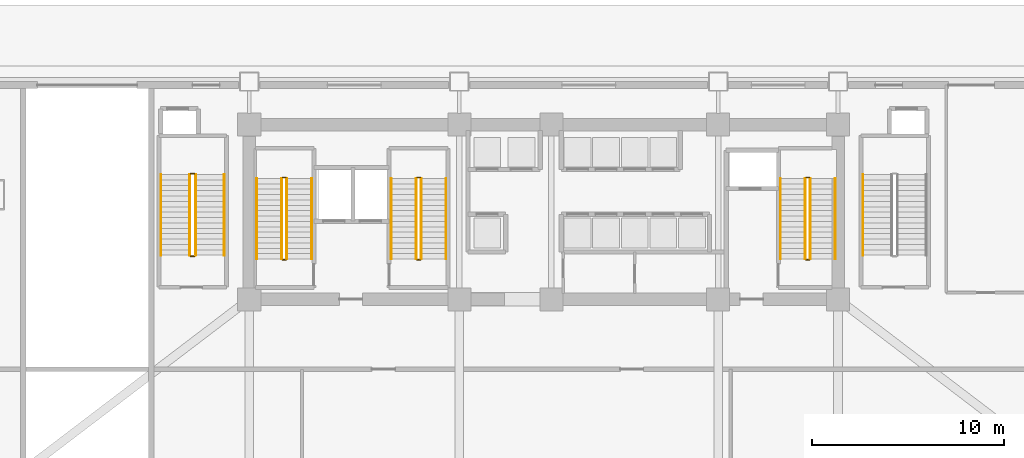
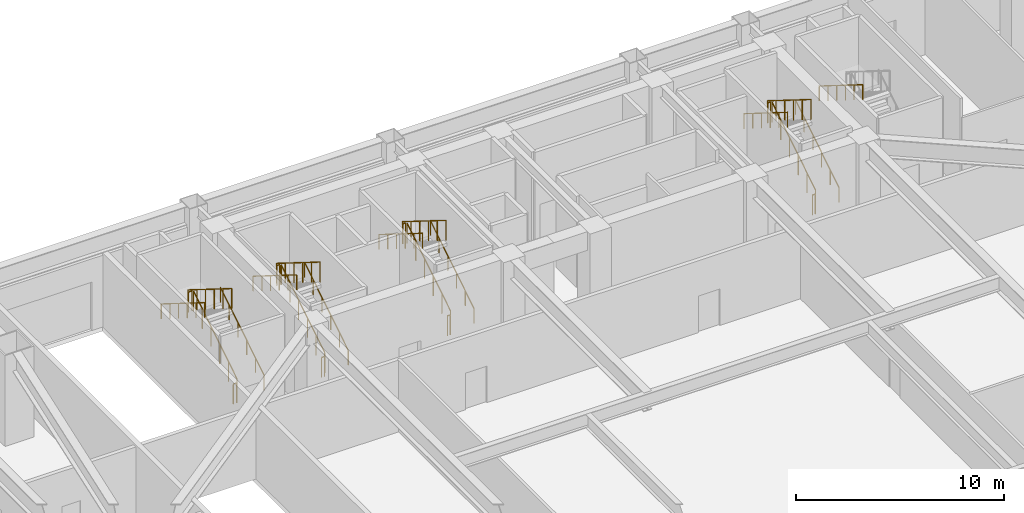
# One storey, part 16 of 18: 25 railings.
"""IFC4 building model written with IfcOpenShell, lengths in metres."""

from ifc_helpers import new_model, si_unit, direction, frame, origin, origin_2d, place, context, subcontext, project, spatial, rectangle, extrude, material, type_object, element, save


model = new_model("IFC4")

# Units and contexts
model_context = context("Model", 3, precision=1e-05, world=origin(), true_north=direction((0.0, 1.0)))
body_context = subcontext(model_context, "Body", "Model", "MODEL_VIEW")
ifc_project = project(units=[si_unit("LENGTHUNIT", "METRE"), si_unit("AREAUNIT", "SQUARE_METRE"), si_unit("VOLUMEUNIT", "CUBIC_METRE"), si_unit("PLANEANGLEUNIT", "RADIAN"), si_unit("MASSUNIT", "GRAM", prefix="KILO")], contexts=[model_context])

# Site, building, storey
site_placement = place(None, origin())
site = spatial("IfcSite", under=ifc_project, at=site_placement, CompositionType="ELEMENT")
building_placement = place(site_placement, origin())
building = spatial("IfcBuilding", under=site, at=building_placement, Name="Giltprow Tower", CompositionType="ELEMENT")
storey_placement = place(building_placement, origin())
storey = spatial("IfcBuildingStorey", under=building, at=storey_placement, Name="L01", CompositionType="ELEMENT", Elevation=0.0)

# Railings
ifc_material = material(Name="Anodized bronze", Category="metal")
railing_type_1 = type_object("IfcRailingType", Name="RAIL-STAIR-GUARD-1200", PredefinedType="GUARDRAIL", material=ifc_material)
railing_1_placement = place(storey_placement, frame((21.81005859375, 39.550048828125, 0.175048828125)))
element("IfcRailing", 1, at=railing_1_placement, inside=storey, type_object=railing_type_1, Name="L01 ST-1 stair guard 1", PredefinedType="GUARDRAIL", context=body_context, shape_type="SweptSolid", body=[
    extrude(rectangle(XDim=0.048095703125, YDim=0.048095703125, at=origin_2d()), frame((0.0, 0.0, 1.17578125), z_axis=(0.0, 0.847995534698, 0.530003370869), x_axis=(-1.0, 0.0, 0.0)), (0.0, 0.0, 1.0), 4.952880859375),
    extrude(rectangle(XDim=0.0419921875, YDim=0.0419921875, at=origin_2d()), origin(), (0.0, 0.0, 1.0), 1.15185546875),
    extrude(rectangle(XDim=0.0419921875, YDim=0.0419921875, at=origin_2d()), frame((0.0, 0.840087890625, 0.52490234375)), (0.0, 0.0, 1.0), 1.15185546875),
    extrude(rectangle(XDim=0.0419921875, YDim=0.0419921875, at=origin_2d()), frame((0.0, 1.679931640625, 1.050048828125)), (0.0, 0.0, 1.0), 1.15185546875),
    extrude(rectangle(XDim=0.0419921875, YDim=0.0419921875, at=origin_2d()), frame((0.0, 2.52001953125, 1.574951171875)), (0.0, 0.0, 1.0), 1.15185546875),
    extrude(rectangle(XDim=0.0419921875, YDim=0.0419921875, at=origin_2d()), frame((0.0, 3.35986328125, 2.10009765625)), (0.0, 0.0, 1.0), 1.15185546875),
    extrude(rectangle(XDim=0.0419921875, YDim=0.0419921875, at=origin_2d()), frame((0.0, 4.199951171875, 2.625)), (0.0, 0.0, 1.0), 1.15185546875),
])
railing_2_placement = place(storey_placement, frame((21.760009765625, 43.800048828125, 2.800048828125)))
element("IfcRailing", 2, at=railing_2_placement, inside=storey, type_object=railing_type_1, Name="L01 ST-1 stair guard 2", PredefinedType="GUARDRAIL", context=body_context, shape_type="SweptSolid", body=[
    extrude(rectangle(XDim=0.048095703125, YDim=0.048095703125, at=origin_2d()), frame((0.0, 0.0, 1.17578125), z_axis=(-1.0, 0.0, 0.0), x_axis=(0.0, -1.0, 0.0)), (0.0, 0.0, 1.0), 0.159912109375),
    extrude(rectangle(XDim=0.0419921875, YDim=0.0419921875, at=origin_2d()), origin(), (0.0, 0.0, 1.0), 1.15185546875),
    extrude(rectangle(XDim=0.0419921875, YDim=0.0419921875, at=origin_2d()), frame((-0.159912109375, 0.0, 0.0)), (0.0, 0.0, 1.0), 1.15185546875),
])
railing_3_placement = place(storey_placement, frame((21.550048828125, 43.75, 2.97509765625)))
element("IfcRailing", 3, at=railing_3_placement, inside=storey, type_object=railing_type_1, Name="L01 ST-1 stair guard 3", PredefinedType="GUARDRAIL", context=body_context, shape_type="SweptSolid", body=[
    extrude(rectangle(XDim=0.048095703125, YDim=0.048095703125, at=origin_2d()), frame((0.0, 0.0, 1.17578125), z_axis=(0.0, -0.847995534698, 0.530003370869), x_axis=(1.0, 0.0, 0.0)), (0.0, 0.0, 1.0), 4.952880859375),
    extrude(rectangle(XDim=0.0419921875, YDim=0.0419921875, at=origin_2d()), origin(), (0.0, 0.0, 1.0), 1.15185546875),
    extrude(rectangle(XDim=0.0419921875, YDim=0.0419921875, at=origin_2d()), frame((0.0, -0.840087890625, 0.52490234375)), (0.0, 0.0, 1.0), 1.15185546875),
    extrude(rectangle(XDim=0.0419921875, YDim=0.0419921875, at=origin_2d()), frame((0.0, -1.679931640625, 1.050048828125)), (0.0, 0.0, 1.0), 1.15185546875),
    extrude(rectangle(XDim=0.0419921875, YDim=0.0419921875, at=origin_2d()), frame((0.0, -2.52001953125, 1.574951171875)), (0.0, 0.0, 1.0), 1.15185546875),
    extrude(rectangle(XDim=0.0419921875, YDim=0.0419921875, at=origin_2d()), frame((0.0, -3.35986328125, 2.10009765625)), (0.0, 0.0, 1.0), 1.15185546875),
    extrude(rectangle(XDim=0.0419921875, YDim=0.0419921875, at=origin_2d()), frame((0.0, -4.199951171875, 2.625)), (0.0, 0.0, 1.0), 1.15185546875),
])
railing_4_placement = place(storey_placement, frame((21.760009765625, 39.5, 0.0)))
element("IfcRailing", 4, at=railing_4_placement, inside=storey, type_object=railing_type_1, Name="L01 ST-1 stair guard 4", PredefinedType="GUARDRAIL", context=body_context, shape_type="SweptSolid", body=[
    extrude(rectangle(XDim=0.048095703125, YDim=0.048095703125, at=origin_2d()), frame((0.0, 0.0, 1.17578125), z_axis=(-1.0, 0.0, 0.0), x_axis=(0.0, -1.0, 0.0)), (0.0, 0.0, 1.0), 0.159912109375),
    extrude(rectangle(XDim=0.0419921875, YDim=0.0419921875, at=origin_2d()), origin(), (0.0, 0.0, 1.0), 1.15185546875),
    extrude(rectangle(XDim=0.0419921875, YDim=0.0419921875, at=origin_2d()), frame((-0.159912109375, 0.0, 0.0)), (0.0, 0.0, 1.0), 1.15185546875),
])
railing_5_placement = place(storey_placement, frame((28.81005859375, 39.550048828125, 0.175048828125)))
element("IfcRailing", 5, at=railing_5_placement, inside=storey, type_object=railing_type_1, Name="L01 ST-2 stair guard 1", PredefinedType="GUARDRAIL", context=body_context, shape_type="SweptSolid", body=[
    extrude(rectangle(XDim=0.048095703125, YDim=0.048095703125, at=origin_2d()), frame((0.0, 0.0, 1.17578125), z_axis=(0.0, 0.847995534698, 0.530003370869), x_axis=(-1.0, 0.0, 0.0)), (0.0, 0.0, 1.0), 4.952880859375),
    extrude(rectangle(XDim=0.0419921875, YDim=0.0419921875, at=origin_2d()), origin(), (0.0, 0.0, 1.0), 1.15185546875),
    extrude(rectangle(XDim=0.0419921875, YDim=0.0419921875, at=origin_2d()), frame((0.0, 0.840087890625, 0.52490234375)), (0.0, 0.0, 1.0), 1.15185546875),
    extrude(rectangle(XDim=0.0419921875, YDim=0.0419921875, at=origin_2d()), frame((0.0, 1.679931640625, 1.050048828125)), (0.0, 0.0, 1.0), 1.15185546875),
    extrude(rectangle(XDim=0.0419921875, YDim=0.0419921875, at=origin_2d()), frame((0.0, 2.52001953125, 1.574951171875)), (0.0, 0.0, 1.0), 1.15185546875),
    extrude(rectangle(XDim=0.0419921875, YDim=0.0419921875, at=origin_2d()), frame((0.0, 3.35986328125, 2.10009765625)), (0.0, 0.0, 1.0), 1.15185546875),
    extrude(rectangle(XDim=0.0419921875, YDim=0.0419921875, at=origin_2d()), frame((0.0, 4.199951171875, 2.625)), (0.0, 0.0, 1.0), 1.15185546875),
])
railing_6_placement = place(storey_placement, frame((28.760009765625, 43.800048828125, 2.800048828125)))
element("IfcRailing", 6, at=railing_6_placement, inside=storey, type_object=railing_type_1, Name="L01 ST-2 stair guard 2", PredefinedType="GUARDRAIL", context=body_context, shape_type="SweptSolid", body=[
    extrude(rectangle(XDim=0.048095703125, YDim=0.048095703125, at=origin_2d()), frame((0.0, 0.0, 1.17578125), z_axis=(-1.0, 0.0, 0.0), x_axis=(0.0, -1.0, 0.0)), (0.0, 0.0, 1.0), 0.159912109375),
    extrude(rectangle(XDim=0.0419921875, YDim=0.0419921875, at=origin_2d()), origin(), (0.0, 0.0, 1.0), 1.15185546875),
    extrude(rectangle(XDim=0.0419921875, YDim=0.0419921875, at=origin_2d()), frame((-0.159912109375, 0.0, 0.0)), (0.0, 0.0, 1.0), 1.15185546875),
])
railing_7_placement = place(storey_placement, frame((28.550048828125, 43.75, 2.97509765625)))
element("IfcRailing", 7, at=railing_7_placement, inside=storey, type_object=railing_type_1, Name="L01 ST-2 stair guard 3", PredefinedType="GUARDRAIL", context=body_context, shape_type="SweptSolid", body=[
    extrude(rectangle(XDim=0.048095703125, YDim=0.048095703125, at=origin_2d()), frame((0.0, 0.0, 1.17578125), z_axis=(0.0, -0.847995534698, 0.530003370869), x_axis=(1.0, 0.0, 0.0)), (0.0, 0.0, 1.0), 4.952880859375),
    extrude(rectangle(XDim=0.0419921875, YDim=0.0419921875, at=origin_2d()), origin(), (0.0, 0.0, 1.0), 1.15185546875),
    extrude(rectangle(XDim=0.0419921875, YDim=0.0419921875, at=origin_2d()), frame((0.0, -0.840087890625, 0.52490234375)), (0.0, 0.0, 1.0), 1.15185546875),
    extrude(rectangle(XDim=0.0419921875, YDim=0.0419921875, at=origin_2d()), frame((0.0, -1.679931640625, 1.050048828125)), (0.0, 0.0, 1.0), 1.15185546875),
    extrude(rectangle(XDim=0.0419921875, YDim=0.0419921875, at=origin_2d()), frame((0.0, -2.52001953125, 1.574951171875)), (0.0, 0.0, 1.0), 1.15185546875),
    extrude(rectangle(XDim=0.0419921875, YDim=0.0419921875, at=origin_2d()), frame((0.0, -3.35986328125, 2.10009765625)), (0.0, 0.0, 1.0), 1.15185546875),
    extrude(rectangle(XDim=0.0419921875, YDim=0.0419921875, at=origin_2d()), frame((0.0, -4.199951171875, 2.625)), (0.0, 0.0, 1.0), 1.15185546875),
])
railing_8_placement = place(storey_placement, frame((28.760009765625, 39.5, 0.0)))
element("IfcRailing", 8, at=railing_8_placement, inside=storey, type_object=railing_type_1, Name="L01 ST-2 stair guard 4", PredefinedType="GUARDRAIL", context=body_context, shape_type="SweptSolid", body=[
    extrude(rectangle(XDim=0.048095703125, YDim=0.048095703125, at=origin_2d()), frame((0.0, 0.0, 1.17578125), z_axis=(-1.0, 0.0, 0.0), x_axis=(0.0, -1.0, 0.0)), (0.0, 0.0, 1.0), 0.159912109375),
    extrude(rectangle(XDim=0.0419921875, YDim=0.0419921875, at=origin_2d()), origin(), (0.0, 0.0, 1.0), 1.15185546875),
    extrude(rectangle(XDim=0.0419921875, YDim=0.0419921875, at=origin_2d()), frame((-0.159912109375, 0.0, 0.0)), (0.0, 0.0, 1.0), 1.15185546875),
])
railing_9_placement = place(storey_placement, frame((49.110107421875, 39.550048828125, 0.175048828125)))
element("IfcRailing", 9, at=railing_9_placement, inside=storey, type_object=railing_type_1, Name="L01 ST-3 stair guard 1", PredefinedType="GUARDRAIL", context=body_context, shape_type="SweptSolid", body=[
    extrude(rectangle(XDim=0.048095703125, YDim=0.048095703125, at=origin_2d()), frame((0.0, 0.0, 1.17578125), z_axis=(0.0, 0.847995534698, 0.530003370869), x_axis=(-1.0, 0.0, 0.0)), (0.0, 0.0, 1.0), 4.952880859375),
    extrude(rectangle(XDim=0.0419921875, YDim=0.0419921875, at=origin_2d()), origin(), (0.0, 0.0, 1.0), 1.15185546875),
    extrude(rectangle(XDim=0.0419921875, YDim=0.0419921875, at=origin_2d()), frame((0.0, 0.840087890625, 0.52490234375)), (0.0, 0.0, 1.0), 1.15185546875),
    extrude(rectangle(XDim=0.0419921875, YDim=0.0419921875, at=origin_2d()), frame((0.0, 1.679931640625, 1.050048828125)), (0.0, 0.0, 1.0), 1.15185546875),
    extrude(rectangle(XDim=0.0419921875, YDim=0.0419921875, at=origin_2d()), frame((0.0, 2.52001953125, 1.574951171875)), (0.0, 0.0, 1.0), 1.15185546875),
    extrude(rectangle(XDim=0.0419921875, YDim=0.0419921875, at=origin_2d()), frame((0.0, 3.35986328125, 2.10009765625)), (0.0, 0.0, 1.0), 1.15185546875),
    extrude(rectangle(XDim=0.0419921875, YDim=0.0419921875, at=origin_2d()), frame((0.0, 4.199951171875, 2.625)), (0.0, 0.0, 1.0), 1.15185546875),
])
railing_10_placement = place(storey_placement, frame((49.06005859375, 43.800048828125, 2.800048828125)))
element("IfcRailing", 10, at=railing_10_placement, inside=storey, type_object=railing_type_1, Name="L01 ST-3 stair guard 2", PredefinedType="GUARDRAIL", context=body_context, shape_type="SweptSolid", body=[
    extrude(rectangle(XDim=0.048095703125, YDim=0.048095703125, at=origin_2d()), frame((0.0, 0.0, 1.17578125), z_axis=(-1.0, 0.0, 0.0), x_axis=(0.0, -1.0, 0.0)), (0.0, 0.0, 1.0), 0.16015625),
    extrude(rectangle(XDim=0.0419921875, YDim=0.0419921875, at=origin_2d()), origin(), (0.0, 0.0, 1.0), 1.15185546875),
    extrude(rectangle(XDim=0.0419921875, YDim=0.0419921875, at=origin_2d()), frame((-0.16015625, 0.0, 0.0)), (0.0, 0.0, 1.0), 1.15185546875),
])
railing_11_placement = place(storey_placement, frame((48.85009765625, 43.75, 2.97509765625)))
element("IfcRailing", 11, at=railing_11_placement, inside=storey, type_object=railing_type_1, Name="L01 ST-3 stair guard 3", PredefinedType="GUARDRAIL", context=body_context, shape_type="SweptSolid", body=[
    extrude(rectangle(XDim=0.048095703125, YDim=0.048095703125, at=origin_2d()), frame((0.0, 0.0, 1.17578125), z_axis=(0.0, -0.847995534698, 0.530003370869), x_axis=(1.0, 0.0, 0.0)), (0.0, 0.0, 1.0), 4.952880859375),
    extrude(rectangle(XDim=0.0419921875, YDim=0.0419921875, at=origin_2d()), origin(), (0.0, 0.0, 1.0), 1.15185546875),
    extrude(rectangle(XDim=0.0419921875, YDim=0.0419921875, at=origin_2d()), frame((0.0, -0.840087890625, 0.52490234375)), (0.0, 0.0, 1.0), 1.15185546875),
    extrude(rectangle(XDim=0.0419921875, YDim=0.0419921875, at=origin_2d()), frame((0.0, -1.679931640625, 1.050048828125)), (0.0, 0.0, 1.0), 1.15185546875),
    extrude(rectangle(XDim=0.0419921875, YDim=0.0419921875, at=origin_2d()), frame((0.0, -2.52001953125, 1.574951171875)), (0.0, 0.0, 1.0), 1.15185546875),
    extrude(rectangle(XDim=0.0419921875, YDim=0.0419921875, at=origin_2d()), frame((0.0, -3.35986328125, 2.10009765625)), (0.0, 0.0, 1.0), 1.15185546875),
    extrude(rectangle(XDim=0.0419921875, YDim=0.0419921875, at=origin_2d()), frame((0.0, -4.199951171875, 2.625)), (0.0, 0.0, 1.0), 1.15185546875),
])
railing_12_placement = place(storey_placement, frame((49.06005859375, 39.5, 0.0)))
element("IfcRailing", 12, at=railing_12_placement, inside=storey, type_object=railing_type_1, Name="L01 ST-3 stair guard 4", PredefinedType="GUARDRAIL", context=body_context, shape_type="SweptSolid", body=[
    extrude(rectangle(XDim=0.048095703125, YDim=0.048095703125, at=origin_2d()), frame((0.0, 0.0, 1.17578125), z_axis=(-1.0, 0.0, 0.0), x_axis=(0.0, -1.0, 0.0)), (0.0, 0.0, 1.0), 0.16015625),
    extrude(rectangle(XDim=0.0419921875, YDim=0.0419921875, at=origin_2d()), origin(), (0.0, 0.0, 1.0), 1.15185546875),
    extrude(rectangle(XDim=0.0419921875, YDim=0.0419921875, at=origin_2d()), frame((-0.16015625, 0.0, 0.0)), (0.0, 0.0, 1.0), 1.15185546875),
])
railing_13_placement = place(storey_placement, frame((17.050048828125, 39.75, 0.175048828125)))
element("IfcRailing", 13, at=railing_13_placement, inside=storey, type_object=railing_type_1, Name="L01 ST-P1 stair guard 1", PredefinedType="GUARDRAIL", context=body_context, shape_type="SweptSolid", body=[
    extrude(rectangle(XDim=0.048095703125, YDim=0.048095703125, at=origin_2d()), frame((0.0, 0.0, 1.17578125), z_axis=(0.0, 0.847995534698, 0.530003370869), x_axis=(-1.0, 0.0, 0.0)), (0.0, 0.0, 1.0), 4.952880859375),
    extrude(rectangle(XDim=0.0419921875, YDim=0.0419921875, at=origin_2d()), origin(), (0.0, 0.0, 1.0), 1.15185546875),
    extrude(rectangle(XDim=0.0419921875, YDim=0.0419921875, at=origin_2d()), frame((0.0, 0.840087890625, 0.52490234375)), (0.0, 0.0, 1.0), 1.15185546875),
    extrude(rectangle(XDim=0.0419921875, YDim=0.0419921875, at=origin_2d()), frame((0.0, 1.679931640625, 1.050048828125)), (0.0, 0.0, 1.0), 1.15185546875),
    extrude(rectangle(XDim=0.0419921875, YDim=0.0419921875, at=origin_2d()), frame((0.0, 2.52001953125, 1.574951171875)), (0.0, 0.0, 1.0), 1.15185546875),
    extrude(rectangle(XDim=0.0419921875, YDim=0.0419921875, at=origin_2d()), frame((0.0, 3.35986328125, 2.10009765625)), (0.0, 0.0, 1.0), 1.15185546875),
    extrude(rectangle(XDim=0.0419921875, YDim=0.0419921875, at=origin_2d()), frame((0.0, 4.199951171875, 2.625)), (0.0, 0.0, 1.0), 1.15185546875),
])
railing_14_placement = place(storey_placement, frame((17.0, 44.0, 2.800048828125)))
element("IfcRailing", 14, at=railing_14_placement, inside=storey, type_object=railing_type_1, Name="L01 ST-P1 stair guard 2", PredefinedType="GUARDRAIL", context=body_context, shape_type="SweptSolid", body=[
    extrude(rectangle(XDim=0.048095703125, YDim=0.048095703125, at=origin_2d()), frame((0.0, 0.0, 1.17578125), z_axis=(-1.0, 0.0, 0.0), x_axis=(0.0, -1.0, 0.0)), (0.0, 0.0, 1.0), 0.199951171875),
    extrude(rectangle(XDim=0.0419921875, YDim=0.0419921875, at=origin_2d()), origin(), (0.0, 0.0, 1.0), 1.15185546875),
    extrude(rectangle(XDim=0.0419921875, YDim=0.0419921875, at=origin_2d()), frame((-0.199951171875, 0.0, 0.0)), (0.0, 0.0, 1.0), 1.15185546875),
])
railing_15_placement = place(storey_placement, frame((16.75, 43.949951171875, 2.97509765625)))
element("IfcRailing", 15, at=railing_15_placement, inside=storey, type_object=railing_type_1, Name="L01 ST-P1 stair guard 3", PredefinedType="GUARDRAIL", context=body_context, shape_type="SweptSolid", body=[
    extrude(rectangle(XDim=0.048095703125, YDim=0.048095703125, at=origin_2d()), frame((0.0, 0.0, 1.17578125), z_axis=(0.0, -0.847995534698, 0.530003370869), x_axis=(1.0, 0.0, 0.0)), (0.0, 0.0, 1.0), 4.952880859375),
    extrude(rectangle(XDim=0.0419921875, YDim=0.0419921875, at=origin_2d()), origin(), (0.0, 0.0, 1.0), 1.15185546875),
    extrude(rectangle(XDim=0.0419921875, YDim=0.0419921875, at=origin_2d()), frame((0.0, -0.840087890625, 0.52490234375)), (0.0, 0.0, 1.0), 1.15185546875),
    extrude(rectangle(XDim=0.0419921875, YDim=0.0419921875, at=origin_2d()), frame((0.0, -1.679931640625, 1.050048828125)), (0.0, 0.0, 1.0), 1.15185546875),
    extrude(rectangle(XDim=0.0419921875, YDim=0.0419921875, at=origin_2d()), frame((0.0, -2.52001953125, 1.574951171875)), (0.0, 0.0, 1.0), 1.15185546875),
    extrude(rectangle(XDim=0.0419921875, YDim=0.0419921875, at=origin_2d()), frame((0.0, -3.35986328125, 2.10009765625)), (0.0, 0.0, 1.0), 1.15185546875),
    extrude(rectangle(XDim=0.0419921875, YDim=0.0419921875, at=origin_2d()), frame((0.0, -4.199951171875, 2.625)), (0.0, 0.0, 1.0), 1.15185546875),
])
railing_16_placement = place(storey_placement, frame((17.0, 39.699951171875, 0.0)))
element("IfcRailing", 16, at=railing_16_placement, inside=storey, type_object=railing_type_1, Name="L01 ST-P1 stair guard 4", PredefinedType="GUARDRAIL", context=body_context, shape_type="SweptSolid", body=[
    extrude(rectangle(XDim=0.048095703125, YDim=0.048095703125, at=origin_2d()), frame((0.0, 0.0, 1.17578125), z_axis=(-1.0, 0.0, 0.0), x_axis=(0.0, -1.0, 0.0)), (0.0, 0.0, 1.0), 0.199951171875),
    extrude(rectangle(XDim=0.0419921875, YDim=0.0419921875, at=origin_2d()), origin(), (0.0, 0.0, 1.0), 1.15185546875),
    extrude(rectangle(XDim=0.0419921875, YDim=0.0419921875, at=origin_2d()), frame((-0.199951171875, 0.0, 0.0)), (0.0, 0.0, 1.0), 1.15185546875),
])
railing_type_2 = type_object("IfcRailingType", Name="RAIL-STAIR-HAND-900", PredefinedType="HANDRAIL", material=ifc_material)
railing_17_placement = place(storey_placement, frame((23.110107421875, 39.550048828125, 0.175048828125)))
element("IfcRailing", 17, at=railing_17_placement, inside=storey, type_object=railing_type_2, Name="L01 ST-1 stair handrail 1", PredefinedType="HANDRAIL", context=body_context, shape_type="SweptSolid", body=[
    extrude(rectangle(XDim=0.048095703125, YDim=0.048095703125, at=origin_2d()), frame((0.0, 0.0, 0.8759765625), z_axis=(0.0, 0.847995534698, 0.530003370869), x_axis=(-1.0, 0.0, 0.0)), (0.0, 0.0, 1.0), 4.952880859375),
    extrude(rectangle(XDim=0.0419921875, YDim=0.0419921875, at=origin_2d()), origin(), (0.0, 0.0, 1.0), 0.851806640625),
    extrude(rectangle(XDim=0.0419921875, YDim=0.0419921875, at=origin_2d()), frame((0.0, 0.840087890625, 0.52490234375)), (0.0, 0.0, 1.0), 0.851806640625),
    extrude(rectangle(XDim=0.0419921875, YDim=0.0419921875, at=origin_2d()), frame((0.0, 1.679931640625, 1.050048828125)), (0.0, 0.0, 1.0), 0.851806640625),
    extrude(rectangle(XDim=0.0419921875, YDim=0.0419921875, at=origin_2d()), frame((0.0, 2.52001953125, 1.574951171875)), (0.0, 0.0, 1.0), 0.851806640625),
    extrude(rectangle(XDim=0.0419921875, YDim=0.0419921875, at=origin_2d()), frame((0.0, 3.35986328125, 2.10009765625)), (0.0, 0.0, 1.0), 0.851806640625),
    extrude(rectangle(XDim=0.0419921875, YDim=0.0419921875, at=origin_2d()), frame((0.0, 4.199951171875, 2.625)), (0.0, 0.0, 1.0), 0.851806640625),
])
railing_18_placement = place(storey_placement, frame((20.25, 43.75, 2.97509765625)))
element("IfcRailing", 18, at=railing_18_placement, inside=storey, type_object=railing_type_2, Name="L01 ST-1 stair handrail 2", PredefinedType="HANDRAIL", context=body_context, shape_type="SweptSolid", body=[
    extrude(rectangle(XDim=0.048095703125, YDim=0.048095703125, at=origin_2d()), frame((0.0, 0.0, 0.8759765625), z_axis=(0.0, -0.847995534698, 0.530003370869), x_axis=(1.0, 0.0, 0.0)), (0.0, 0.0, 1.0), 4.952880859375),
    extrude(rectangle(XDim=0.0419921875, YDim=0.0419921875, at=origin_2d()), origin(), (0.0, 0.0, 1.0), 0.851806640625),
    extrude(rectangle(XDim=0.0419921875, YDim=0.0419921875, at=origin_2d()), frame((0.0, -0.840087890625, 0.52490234375)), (0.0, 0.0, 1.0), 0.851806640625),
    extrude(rectangle(XDim=0.0419921875, YDim=0.0419921875, at=origin_2d()), frame((0.0, -1.679931640625, 1.050048828125)), (0.0, 0.0, 1.0), 0.851806640625),
    extrude(rectangle(XDim=0.0419921875, YDim=0.0419921875, at=origin_2d()), frame((0.0, -2.52001953125, 1.574951171875)), (0.0, 0.0, 1.0), 0.851806640625),
    extrude(rectangle(XDim=0.0419921875, YDim=0.0419921875, at=origin_2d()), frame((0.0, -3.35986328125, 2.10009765625)), (0.0, 0.0, 1.0), 0.851806640625),
    extrude(rectangle(XDim=0.0419921875, YDim=0.0419921875, at=origin_2d()), frame((0.0, -4.199951171875, 2.625)), (0.0, 0.0, 1.0), 0.851806640625),
])
railing_19_placement = place(storey_placement, frame((30.110107421875, 39.550048828125, 0.175048828125)))
element("IfcRailing", 19, at=railing_19_placement, inside=storey, type_object=railing_type_2, Name="L01 ST-2 stair handrail 1", PredefinedType="HANDRAIL", context=body_context, shape_type="SweptSolid", body=[
    extrude(rectangle(XDim=0.048095703125, YDim=0.048095703125, at=origin_2d()), frame((0.0, 0.0, 0.8759765625), z_axis=(0.0, 0.847995534698, 0.530003370869), x_axis=(-1.0, 0.0, 0.0)), (0.0, 0.0, 1.0), 4.952880859375),
    extrude(rectangle(XDim=0.0419921875, YDim=0.0419921875, at=origin_2d()), origin(), (0.0, 0.0, 1.0), 0.851806640625),
    extrude(rectangle(XDim=0.0419921875, YDim=0.0419921875, at=origin_2d()), frame((0.0, 0.840087890625, 0.52490234375)), (0.0, 0.0, 1.0), 0.851806640625),
    extrude(rectangle(XDim=0.0419921875, YDim=0.0419921875, at=origin_2d()), frame((0.0, 1.679931640625, 1.050048828125)), (0.0, 0.0, 1.0), 0.851806640625),
    extrude(rectangle(XDim=0.0419921875, YDim=0.0419921875, at=origin_2d()), frame((0.0, 2.52001953125, 1.574951171875)), (0.0, 0.0, 1.0), 0.851806640625),
    extrude(rectangle(XDim=0.0419921875, YDim=0.0419921875, at=origin_2d()), frame((0.0, 3.35986328125, 2.10009765625)), (0.0, 0.0, 1.0), 0.851806640625),
    extrude(rectangle(XDim=0.0419921875, YDim=0.0419921875, at=origin_2d()), frame((0.0, 4.199951171875, 2.625)), (0.0, 0.0, 1.0), 0.851806640625),
])
railing_20_placement = place(storey_placement, frame((27.25, 43.75, 2.97509765625)))
element("IfcRailing", 20, at=railing_20_placement, inside=storey, type_object=railing_type_2, Name="L01 ST-2 stair handrail 2", PredefinedType="HANDRAIL", context=body_context, shape_type="SweptSolid", body=[
    extrude(rectangle(XDim=0.048095703125, YDim=0.048095703125, at=origin_2d()), frame((0.0, 0.0, 0.8759765625), z_axis=(0.0, -0.847995534698, 0.530003370869), x_axis=(1.0, 0.0, 0.0)), (0.0, 0.0, 1.0), 4.952880859375),
    extrude(rectangle(XDim=0.0419921875, YDim=0.0419921875, at=origin_2d()), origin(), (0.0, 0.0, 1.0), 0.851806640625),
    extrude(rectangle(XDim=0.0419921875, YDim=0.0419921875, at=origin_2d()), frame((0.0, -0.840087890625, 0.52490234375)), (0.0, 0.0, 1.0), 0.851806640625),
    extrude(rectangle(XDim=0.0419921875, YDim=0.0419921875, at=origin_2d()), frame((0.0, -1.679931640625, 1.050048828125)), (0.0, 0.0, 1.0), 0.851806640625),
    extrude(rectangle(XDim=0.0419921875, YDim=0.0419921875, at=origin_2d()), frame((0.0, -2.52001953125, 1.574951171875)), (0.0, 0.0, 1.0), 0.851806640625),
    extrude(rectangle(XDim=0.0419921875, YDim=0.0419921875, at=origin_2d()), frame((0.0, -3.35986328125, 2.10009765625)), (0.0, 0.0, 1.0), 0.851806640625),
    extrude(rectangle(XDim=0.0419921875, YDim=0.0419921875, at=origin_2d()), frame((0.0, -4.199951171875, 2.625)), (0.0, 0.0, 1.0), 0.851806640625),
])
railing_21_placement = place(storey_placement, frame((50.409912109375, 39.550048828125, 0.175048828125)))
element("IfcRailing", 21, at=railing_21_placement, inside=storey, type_object=railing_type_2, Name="L01 ST-3 stair handrail 1", PredefinedType="HANDRAIL", context=body_context, shape_type="SweptSolid", body=[
    extrude(rectangle(XDim=0.048095703125, YDim=0.048095703125, at=origin_2d()), frame((0.0, 0.0, 0.8759765625), z_axis=(0.0, 0.847995534698, 0.530003370869), x_axis=(-1.0, 0.0, 0.0)), (0.0, 0.0, 1.0), 4.952880859375),
    extrude(rectangle(XDim=0.0419921875, YDim=0.0419921875, at=origin_2d()), origin(), (0.0, 0.0, 1.0), 0.851806640625),
    extrude(rectangle(XDim=0.0419921875, YDim=0.0419921875, at=origin_2d()), frame((0.0, 0.840087890625, 0.52490234375)), (0.0, 0.0, 1.0), 0.851806640625),
    extrude(rectangle(XDim=0.0419921875, YDim=0.0419921875, at=origin_2d()), frame((0.0, 1.679931640625, 1.050048828125)), (0.0, 0.0, 1.0), 0.851806640625),
    extrude(rectangle(XDim=0.0419921875, YDim=0.0419921875, at=origin_2d()), frame((0.0, 2.52001953125, 1.574951171875)), (0.0, 0.0, 1.0), 0.851806640625),
    extrude(rectangle(XDim=0.0419921875, YDim=0.0419921875, at=origin_2d()), frame((0.0, 3.35986328125, 2.10009765625)), (0.0, 0.0, 1.0), 0.851806640625),
    extrude(rectangle(XDim=0.0419921875, YDim=0.0419921875, at=origin_2d()), frame((0.0, 4.199951171875, 2.625)), (0.0, 0.0, 1.0), 0.851806640625),
])
railing_22_placement = place(storey_placement, frame((47.550048828125, 43.75, 2.97509765625)))
element("IfcRailing", 22, at=railing_22_placement, inside=storey, type_object=railing_type_2, Name="L01 ST-3 stair handrail 2", PredefinedType="HANDRAIL", context=body_context, shape_type="SweptSolid", body=[
    extrude(rectangle(XDim=0.048095703125, YDim=0.048095703125, at=origin_2d()), frame((0.0, 0.0, 0.8759765625), z_axis=(0.0, -0.847995534698, 0.530003370869), x_axis=(1.0, 0.0, 0.0)), (0.0, 0.0, 1.0), 4.952880859375),
    extrude(rectangle(XDim=0.0419921875, YDim=0.0419921875, at=origin_2d()), origin(), (0.0, 0.0, 1.0), 0.851806640625),
    extrude(rectangle(XDim=0.0419921875, YDim=0.0419921875, at=origin_2d()), frame((0.0, -0.840087890625, 0.52490234375)), (0.0, 0.0, 1.0), 0.851806640625),
    extrude(rectangle(XDim=0.0419921875, YDim=0.0419921875, at=origin_2d()), frame((0.0, -1.679931640625, 1.050048828125)), (0.0, 0.0, 1.0), 0.851806640625),
    extrude(rectangle(XDim=0.0419921875, YDim=0.0419921875, at=origin_2d()), frame((0.0, -2.52001953125, 1.574951171875)), (0.0, 0.0, 1.0), 0.851806640625),
    extrude(rectangle(XDim=0.0419921875, YDim=0.0419921875, at=origin_2d()), frame((0.0, -3.35986328125, 2.10009765625)), (0.0, 0.0, 1.0), 0.851806640625),
    extrude(rectangle(XDim=0.0419921875, YDim=0.0419921875, at=origin_2d()), frame((0.0, -4.199951171875, 2.625)), (0.0, 0.0, 1.0), 0.851806640625),
])
railing_23_placement = place(storey_placement, frame((18.550048828125, 39.75, 0.175048828125)))
element("IfcRailing", 23, at=railing_23_placement, inside=storey, type_object=railing_type_2, Name="L01 ST-P1 stair handrail 1", PredefinedType="HANDRAIL", context=body_context, shape_type="SweptSolid", body=[
    extrude(rectangle(XDim=0.048095703125, YDim=0.048095703125, at=origin_2d()), frame((0.0, 0.0, 0.8759765625), z_axis=(0.0, 0.847995534698, 0.530003370869), x_axis=(-1.0, 0.0, 0.0)), (0.0, 0.0, 1.0), 4.952880859375),
    extrude(rectangle(XDim=0.0419921875, YDim=0.0419921875, at=origin_2d()), origin(), (0.0, 0.0, 1.0), 0.851806640625),
    extrude(rectangle(XDim=0.0419921875, YDim=0.0419921875, at=origin_2d()), frame((0.0, 0.840087890625, 0.52490234375)), (0.0, 0.0, 1.0), 0.851806640625),
    extrude(rectangle(XDim=0.0419921875, YDim=0.0419921875, at=origin_2d()), frame((0.0, 1.679931640625, 1.050048828125)), (0.0, 0.0, 1.0), 0.851806640625),
    extrude(rectangle(XDim=0.0419921875, YDim=0.0419921875, at=origin_2d()), frame((0.0, 2.52001953125, 1.574951171875)), (0.0, 0.0, 1.0), 0.851806640625),
    extrude(rectangle(XDim=0.0419921875, YDim=0.0419921875, at=origin_2d()), frame((0.0, 3.35986328125, 2.10009765625)), (0.0, 0.0, 1.0), 0.851806640625),
    extrude(rectangle(XDim=0.0419921875, YDim=0.0419921875, at=origin_2d()), frame((0.0, 4.199951171875, 2.625)), (0.0, 0.0, 1.0), 0.851806640625),
])
for number, where, name in (
    (24, (15.25, 43.949951171875, 2.97509765625), "L01 ST-P1 stair handrail 2"),
    (25, (51.85009765625, 43.949951171875, 2.97509765625), "L01 ST-P2 stair handrail 2"),
):
    element("IfcRailing", number, at=place(storey_placement, frame(where)), inside=storey, type_object=railing_type_2, Name=name, PredefinedType="HANDRAIL", context=body_context, shape_type="SweptSolid", body=[
        extrude(rectangle(XDim=0.048095703125, YDim=0.048095703125, at=origin_2d()), frame((0.0, 0.0, 0.8759765625), z_axis=(0.0, -0.847995534698, 0.530003370869), x_axis=(1.0, 0.0, 0.0)), (0.0, 0.0, 1.0), 4.952880859375),
        extrude(rectangle(XDim=0.0419921875, YDim=0.0419921875, at=origin_2d()), origin(), (0.0, 0.0, 1.0), 0.851806640625),
        extrude(rectangle(XDim=0.0419921875, YDim=0.0419921875, at=origin_2d()), frame((0.0, -0.840087890625, 0.52490234375)), (0.0, 0.0, 1.0), 0.851806640625),
        extrude(rectangle(XDim=0.0419921875, YDim=0.0419921875, at=origin_2d()), frame((0.0, -1.679931640625, 1.050048828125)), (0.0, 0.0, 1.0), 0.851806640625),
        extrude(rectangle(XDim=0.0419921875, YDim=0.0419921875, at=origin_2d()), frame((0.0, -2.52001953125, 1.574951171875)), (0.0, 0.0, 1.0), 0.851806640625),
        extrude(rectangle(XDim=0.0419921875, YDim=0.0419921875, at=origin_2d()), frame((0.0, -3.35986328125, 2.10009765625)), (0.0, 0.0, 1.0), 0.851806640625),
        extrude(rectangle(XDim=0.0419921875, YDim=0.0419921875, at=origin_2d()), frame((0.0, -4.199951171875, 2.625)), (0.0, 0.0, 1.0), 0.851806640625),
    ])

save(model, "model.ifc")
